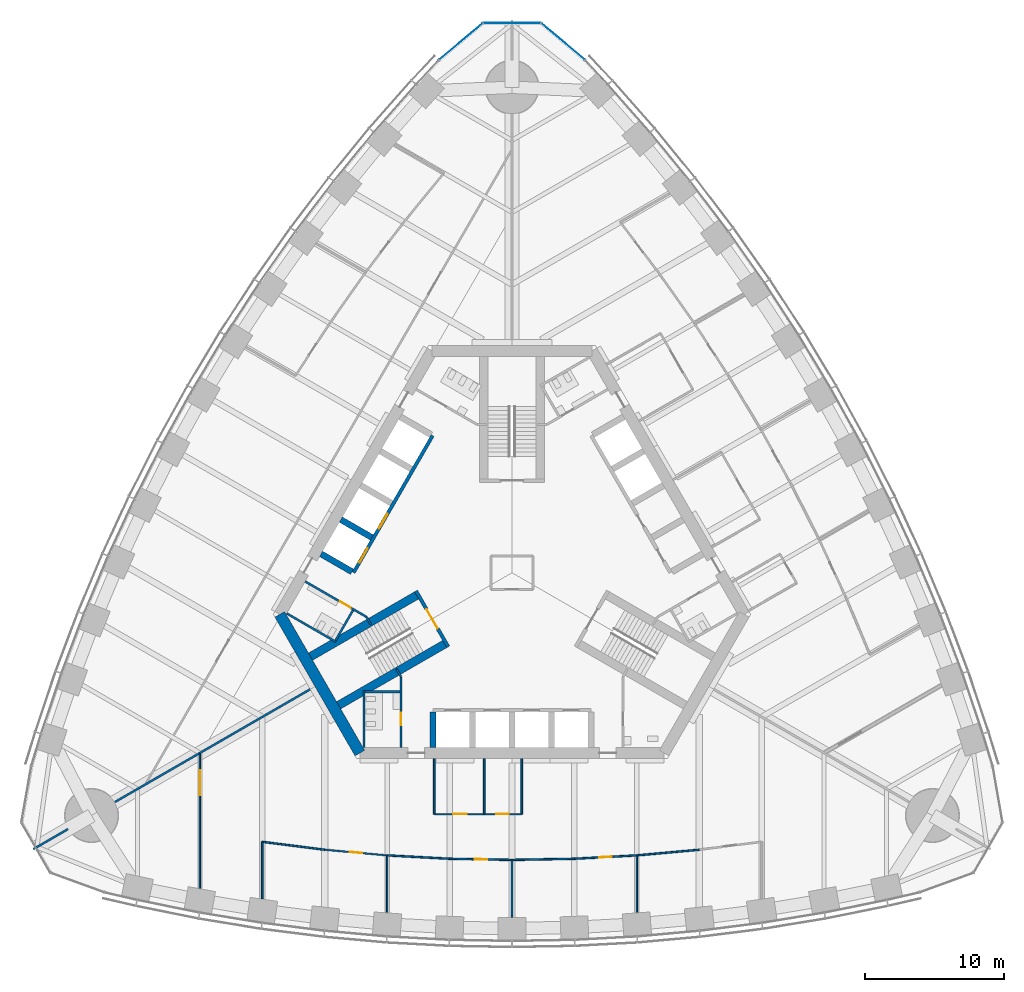
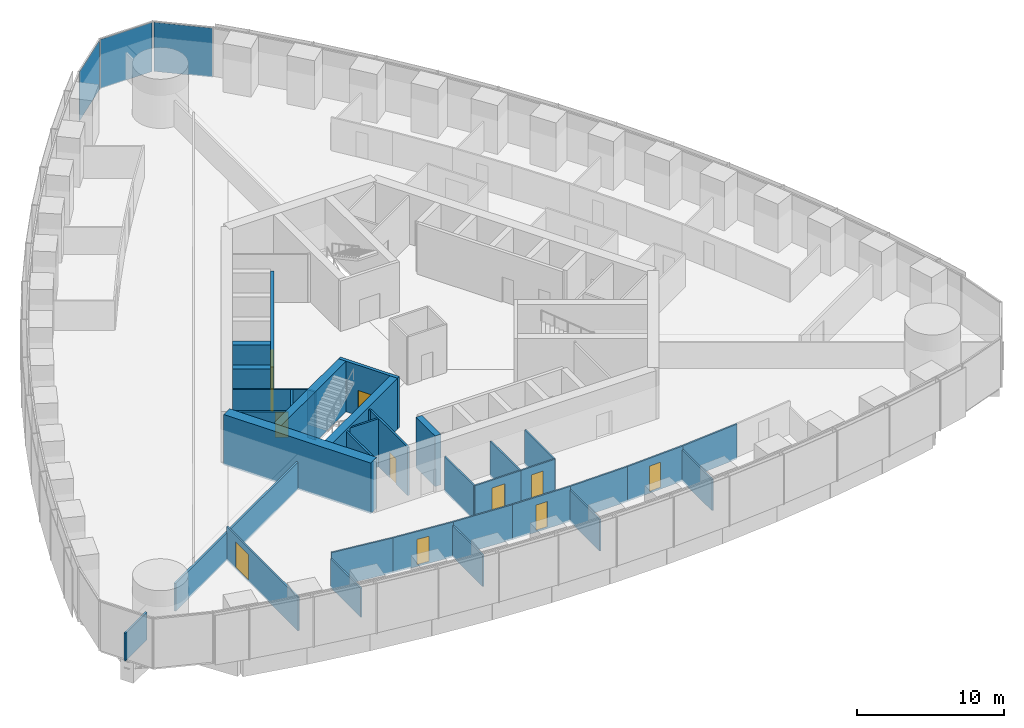
# One storey, part 10 of 18: 35 walls, 11 doors, 3 plates, 11 openings, 1 element without a shape of its own.
"""IFC4 building model written with IfcOpenShell, lengths in metres."""

from ifc_helpers import new_model, si_unit, direction, frame, frame_2d, origin, origin_2d, place, context, subcontext, project, spatial, rectangle, extrude, material, layer, layer_set, type_object, element, fill, aggregate, save


model = new_model("IFC4")

# Units and contexts
model_context = context("Model", 3, precision=1e-05, world=origin(), true_north=direction((0.0, 1.0)))
body_context = subcontext(model_context, "Body", "Model", "MODEL_VIEW")
ifc_project = project(units=[si_unit("LENGTHUNIT", "METRE"), si_unit("AREAUNIT", "SQUARE_METRE"), si_unit("VOLUMEUNIT", "CUBIC_METRE"), si_unit("PLANEANGLEUNIT", "RADIAN"), si_unit("MASSUNIT", "GRAM", prefix="KILO")], contexts=[model_context])

# Site, building, storey
site_placement = place(None, origin())
site = spatial("IfcSite", under=ifc_project, at=site_placement, CompositionType="ELEMENT")
building_placement = place(site_placement, origin())
building = spatial("IfcBuilding", under=site, at=building_placement, Name="Trefoil Bronze Tower", CompositionType="ELEMENT")
storey_placement = place(building_placement, frame((0.0, 0.0, 170.300048828125)))
storey = spatial("IfcBuildingStorey", under=building, at=storey_placement, Name="L39", CompositionType="ELEMENT", Elevation=170.300048828125)

# Curtain wall, plates
ifc_material_1 = material(Name="Tinted solar-control glass", Category="glass")
curtain_wall_type = type_object("IfcCurtainWallType", Name="Bronze rounded corner curtain wall", PredefinedType="USERDEFINED", material=ifc_material_1)
curtain_wall_placement = place(storey_placement, origin())
curtain_wall = element("IfcCurtainWall", 1, at=curtain_wall_placement, inside=storey, type_object=curtain_wall_type, Name="CW-B L39 K2", ObjectType="CURTAIN WALL", PredefinedType="USERDEFINED")
ifc_material_2 = material(Name="Tinted solar-control glass", Category="glass")
ifc_layer_1 = layer(ifc_material_2, 0.030029296875)
ifc_layer_set_1 = layer_set([ifc_layer_1], Name="Bronze rounded corner curtain wall glass panel")
plate_type = type_object("IfcPlateType", Name="Bronze rounded corner curtain wall glass panel", PredefinedType="CURTAIN_PANEL", material=ifc_layer_set_1)
plate_1_placement = place(storey_placement, frame((3.6884765625, 38.294921875, 0.0), z_axis=(0.0, 0.0, 1.0), x_axis=(-0.766044443119, 0.642787609687, 0.0)))
plate_1 = element("IfcPlate", 2, at=plate_1_placement, type_object=plate_type, Name="CW-B L39 K2 panel 1", PredefinedType="CURTAIN_PANEL", context=body_context, shape_type="SweptSolid", body=[
    extrude(rectangle(XDim=4.044189453125, YDim=0.030029296875, at=origin_2d()), origin(), (0.0, 0.0, 1.0), 4.080078125),
])
plate_2_placement = place(storey_placement, frame((0.0, 39.637451171875, 0.0), z_axis=(0.0, 0.0, 1.0), x_axis=(-1.0, 0.0, 0.0)))
plate_2 = element("IfcPlate", 3, at=plate_2_placement, type_object=plate_type, Name="CW-B L39 K2 panel 2", PredefinedType="CURTAIN_PANEL", context=body_context, shape_type="SweptSolid", body=[
    extrude(rectangle(XDim=4.044189453125, YDim=0.030029296875, at=origin_2d()), origin(), (0.0, 0.0, 1.0), 4.080078125),
])
plate_3_placement = place(storey_placement, frame((-3.6884765625, 38.294921875, 0.0), z_axis=(0.0, 0.0, 1.0), x_axis=(-0.766044443119, -0.642787609687, 0.0)))
plate_3 = element("IfcPlate", 4, at=plate_3_placement, type_object=plate_type, Name="CW-B L39 K2 panel 3", PredefinedType="CURTAIN_PANEL", context=body_context, shape_type="SweptSolid", body=[
    extrude(rectangle(XDim=4.044189453125, YDim=0.030029296875, at=origin_2d()), origin(), (0.0, 0.0, 1.0), 4.080078125),
])
aggregate(curtain_wall, [plate_1, plate_2, plate_3])

# Wall
ifc_material_3 = material(Name="Concrete B80", Category="concrete")
ifc_layer_2 = layer(ifc_material_3, 0.800048828125)
ifc_layer_set_2 = layer_set([ifc_layer_2], Name="Core wall 800")
wall_type_1 = type_object("IfcWallType", Name="Core wall 800", PredefinedType="SHEAR", material=ifc_layer_set_2)
wall_1_placement = place(storey_placement, frame((-16.7431640625, -3.0, 0.0), z_axis=(0.0, 0.0, 1.0), x_axis=(0.499995765644, -0.866027848477, 0.0)))
element("IfcWall", 5, at=wall_1_placement, inside=storey, type_object=wall_type_1, Name="Core short wall 3 L39", PredefinedType="SHEAR", context=body_context, shape_type="SweptSolid", body=[
    extrude(rectangle(XDim=11.546875, YDim=0.800048828125, at=frame_2d((5.7734375, 0.0))), origin(), (0.0, 0.0, 1.0), 4.199951171875),
])

# Wall, opening, door
ifc_material_4 = material(Name="Glazed partition", Category="glass")
ifc_layer_3 = layer(ifc_material_4, 0.1201171875)
ifc_layer_set_3 = layer_set([ifc_layer_3], Name="Glazed partition 120")
wall_type_2 = type_object("IfcWallType", Name="Glazed partition 120", PredefinedType="PARTITIONING", material=ifc_layer_set_3)
wall_2_placement = place(storey_placement, frame((-2.0, -17.39990234375, 0.0), z_axis=(0.0, 0.0, 1.0), x_axis=(1.0, 0.0, 0.0)))
wall_2 = element("IfcWall", 6, at=wall_2_placement, inside=storey, type_object=wall_type_2, Name="Partition F1 L39", PredefinedType="PARTITIONING", context=body_context, shape_type="SweptSolid", body=[
    extrude(rectangle(XDim=2.699951171875, YDim=0.1201171875, at=frame_2d((1.35009765625, 0.0))), origin(), (0.0, 0.0, 1.0), 2.89990234375),
])
opening_1_placement = place(wall_2_placement, frame((0.85009765625, 0.0, 0.14990234375)))
opening_1 = element("IfcOpeningElement", 7, at=opening_1_placement, cuts=wall_2, Name="Opening D8", PredefinedType="OPENING", context=body_context, shape_type="SweptSolid", body=[
    extrude(rectangle(XDim=0.89990234375, YDim=2.10009765625, at=frame_2d((0.449951171875, 1.050048828125))), frame((0.0, 0.070068359375, 0.0), z_axis=(0.0, -1.0, 0.0), x_axis=(1.0, 0.0, 0.0)), (0.0, 0.0, 1.0), 0.14013671875),
])
ifc_material_5 = material(Name="Timber door", Category="wood")
door_type_1 = type_object("IfcDoorType", Name="Office door 900", OperationType="SINGLE_SWING_LEFT", PredefinedType="DOOR", material=ifc_material_5)
door_1_placement = place(opening_1_placement, origin())
door_1 = element("IfcDoor", 8, at=door_1_placement, inside=storey, type_object=door_type_1, Name="Pantry door F1 L39", OperationType="SINGLE_SWING_LEFT", OverallHeight=2.10009765625, OverallWidth=0.89990234375, PredefinedType="DOOR", context=body_context, shape_type="SweptSolid", body=[
    extrude(rectangle(XDim=0.89990234375, YDim=2.10009765625, at=frame_2d((0.449951171875, 1.050048828125))), frame((0.0, 0.02490234375, 0.0), z_axis=(0.0, -1.0, 0.0), x_axis=(1.0, 0.0, 0.0)), (0.0, 0.0, 1.0), 0.050048828125),
])
fill(opening_1, door_1)

wall_3_placement = place(storey_placement, frame((-5.60009765625, -17.39990234375, 0.0), z_axis=(0.0, 0.0, 1.0), x_axis=(1.0, 0.0, 0.0)))
wall_3 = element("IfcWall", 9, at=wall_3_placement, inside=storey, type_object=wall_type_2, Name="Partition F1 L39", PredefinedType="PARTITIONING", context=body_context, shape_type="SweptSolid", body=[
    extrude(rectangle(XDim=3.60009765625, YDim=0.1201171875, at=frame_2d((1.800048828125, 0.0))), origin(), (0.0, 0.0, 1.0), 2.89990234375),
])
opening_2_placement = place(wall_3_placement, frame((1.35009765625, 0.0, 0.14990234375)))
opening_2 = element("IfcOpeningElement", 10, at=opening_2_placement, cuts=wall_3, Name="Opening D9", PredefinedType="OPENING", context=body_context, shape_type="SweptSolid", body=[
    extrude(rectangle(XDim=1.0, YDim=2.10009765625, at=frame_2d((0.5, 1.050048828125))), frame((0.0, 0.070068359375, 0.0), z_axis=(0.0, -1.0, 0.0), x_axis=(1.0, 0.0, 0.0)), (0.0, 0.0, 1.0), 0.14013671875),
])
ifc_material_6 = material(Name="Glazed timber door", Category="wood")
door_type_2 = type_object("IfcDoorType", Name="Meeting room door 1000", OperationType="SINGLE_SWING_LEFT", PredefinedType="DOOR", material=ifc_material_6)
door_2_placement = place(opening_2_placement, origin())
door_2 = element("IfcDoor", 11, at=door_2_placement, inside=storey, type_object=door_type_2, Name="Meeting room door F1 L39", OperationType="SINGLE_SWING_RIGHT", OverallHeight=2.10009765625, OverallWidth=1.0, PredefinedType="DOOR", context=body_context, shape_type="SweptSolid", body=[
    extrude(rectangle(XDim=1.0, YDim=2.10009765625, at=frame_2d((0.5, 1.050048828125))), frame((0.0, 0.02490234375, 0.0), z_axis=(0.0, -1.0, 0.0), x_axis=(1.0, 0.0, 0.0)), (0.0, 0.0, 1.0), 0.050048828125),
])
fill(opening_2, door_2)

# Walls
for number, where, z_axis, x_axis, name in (
    (12, (0.699951171875, -13.39990234375, 0.0), (0.0, 0.0, 1.0), (0.0, -1.0, 0.0), "Partition F1 L39"),
    (13, (-2.0, -13.39990234375, 0.0), (0.0, 0.0, 1.0), (0.0, -1.0, 0.0), "Partition F1 L39"),
    (14, (-5.60009765625, -13.39990234375, 0.0), (0.0, 0.0, 1.0), (0.0, -1.0, 0.0), "Partition F1 L39"),
):
    element("IfcWall", number, at=place(storey_placement, frame(where, z_axis=z_axis, x_axis=x_axis)), inside=storey, type_object=wall_type_2, Name=name, PredefinedType="PARTITIONING", context=body_context, shape_type="SweptSolid", body=[
        extrude(rectangle(XDim=4.0, YDim=0.1201171875, at=frame_2d((2.0, 0.0))), origin(), (0.0, 0.0, 1.0), 2.89990234375),
    ])
wall_4_placement = place(storey_placement, frame((0.0, -20.69970703125, 0.0), z_axis=(0.0, 0.0, 1.0), x_axis=(0.999837820638, 0.018009231578, 0.0)))
element("IfcWall", 15, at=wall_4_placement, inside=storey, type_object=wall_type_2, Name="Partition F1 L39", PredefinedType="PARTITIONING", context=body_context, shape_type="SweptSolid", body=[
    extrude(rectangle(XDim=4.500732421875, YDim=0.1201171875, at=frame_2d((2.25048828125, 0.0))), origin(), (0.0, 0.0, 1.0), 2.89990234375),
])

# Wall, opening, door
wall_5_placement = place(storey_placement, frame((4.5, -20.61865234375, 0.0), z_axis=(0.0, 0.0, 1.0), x_axis=(0.998537376538, 0.054065771581, 0.0)))
wall_5 = element("IfcWall", 16, at=wall_5_placement, inside=storey, type_object=wall_type_2, Name="Partition F1 L39", PredefinedType="PARTITIONING", context=body_context, shape_type="SweptSolid", body=[
    extrude(rectangle(XDim=4.506591796875, YDim=0.1201171875, at=frame_2d((2.25341796875, 0.0))), origin(), (0.0, 0.0, 1.0), 2.89990234375),
])
opening_3_placement = place(wall_5_placement, frame((1.800048828125, 0.0, 0.14990234375)))
opening_3 = element("IfcOpeningElement", 17, at=opening_3_placement, cuts=wall_5, Name="Opening D8", PredefinedType="OPENING", context=body_context, shape_type="SweptSolid", body=[
    extrude(rectangle(XDim=0.89990234375, YDim=2.10009765625, at=frame_2d((0.449951171875, 1.050048828125))), frame((0.0, 0.070068359375, 0.0), z_axis=(0.0, -1.0, 0.0), x_axis=(1.0, 0.0, 0.0)), (0.0, 0.0, 1.0), 0.14013671875),
])
door_3_placement = place(opening_3_placement, frame((0.89990234375, 0.0, 0.0), z_axis=(0.0, 0.0, 1.0), x_axis=(-1.0, 0.0, 0.0)))
door_3 = element("IfcDoor", 18, at=door_3_placement, inside=storey, type_object=door_type_1, Name="Executive office door F1 L39", OperationType="SINGLE_SWING_RIGHT", OverallHeight=2.10009765625, OverallWidth=0.89990234375, PredefinedType="DOOR", context=body_context, shape_type="SweptSolid", body=[
    extrude(rectangle(XDim=0.89990234375, YDim=2.10009765625, at=frame_2d((0.449951171875, 1.050048828125))), frame((0.0, 0.02490234375, 0.0), z_axis=(0.0, -1.0, 0.0), x_axis=(1.0, 0.0, 0.0)), (0.0, 0.0, 1.0), 0.050048828125),
])
fill(opening_3, door_3)

# Wall
wall_6_placement = place(storey_placement, frame((9.0, -20.375, 0.0), z_axis=(0.0, 0.0, 1.0), x_axis=(0.995930325215, 0.090126507295, 0.0)))
element("IfcWall", 19, at=wall_6_placement, inside=storey, type_object=wall_type_2, Name="Partition F1 L39", PredefinedType="PARTITIONING", context=body_context, shape_type="SweptSolid", body=[
    extrude(rectangle(XDim=4.518310546875, YDim=0.1201171875, at=frame_2d((2.25927734375, 0.0))), origin(), (0.0, 0.0, 1.0), 2.89990234375),
])

# Wall, opening, door
wall_7_placement = place(storey_placement, frame((-13.5, -19.9677734375, 0.0), z_axis=(0.0, 0.0, 1.0), x_axis=(0.995930325215, -0.090126507295, 0.0)))
wall_7 = element("IfcWall", 20, at=wall_7_placement, inside=storey, type_object=wall_type_2, Name="Partition F1 L39", PredefinedType="PARTITIONING", context=body_context, shape_type="SweptSolid", body=[
    extrude(rectangle(XDim=4.518310546875, YDim=0.1201171875, at=frame_2d((2.25927734375, 0.0))), origin(), (0.0, 0.0, 1.0), 2.89990234375),
])
opening_4_placement = place(wall_7_placement, frame((1.800048828125, 0.0, 0.14990234375)))
opening_4 = element("IfcOpeningElement", 21, at=opening_4_placement, cuts=wall_7, Name="Opening D8", PredefinedType="OPENING", context=body_context, shape_type="SweptSolid", body=[
    extrude(rectangle(XDim=0.89990234375, YDim=2.10009765625, at=frame_2d((0.449951171875, 1.050048828125))), frame((0.0, 0.070068359375, 0.0), z_axis=(0.0, -1.0, 0.0), x_axis=(1.0, 0.0, 0.0)), (0.0, 0.0, 1.0), 0.14013671875),
])
door_4_placement = place(opening_4_placement, frame((0.89990234375, 0.0, 0.0), z_axis=(0.0, 0.0, 1.0), x_axis=(-1.0, 0.0, 0.0)))
door_4 = element("IfcDoor", 22, at=door_4_placement, inside=storey, type_object=door_type_1, Name="Executive office door F1 L39", OperationType="SINGLE_SWING_RIGHT", OverallHeight=2.10009765625, OverallWidth=0.89990234375, PredefinedType="DOOR", context=body_context, shape_type="SweptSolid", body=[
    extrude(rectangle(XDim=0.89990234375, YDim=2.10009765625, at=frame_2d((0.449951171875, 1.050048828125))), frame((0.0, 0.02490234375, 0.0), z_axis=(0.0, -1.0, 0.0), x_axis=(1.0, 0.0, 0.0)), (0.0, 0.0, 1.0), 0.050048828125),
])
fill(opening_4, door_4)

# Wall
wall_8_placement = place(storey_placement, frame((-18.0, -19.3955078125, 0.0), z_axis=(0.0, 0.0, 1.0), x_axis=(0.992010652594, -0.12615413247, 0.0)))
element("IfcWall", 23, at=wall_8_placement, inside=storey, type_object=wall_type_2, Name="Partition F1 L39", PredefinedType="PARTITIONING", context=body_context, shape_type="SweptSolid", body=[
    extrude(rectangle(XDim=4.5361328125, YDim=0.1201171875, at=frame_2d((2.26806640625, 0.0))), origin(), (0.0, 0.0, 1.0), 2.89990234375),
])

# Wall, opening, door
wall_9_placement = place(storey_placement, frame((-4.5, -20.61865234375, 0.0), z_axis=(0.0, 0.0, 1.0), x_axis=(0.999837820638, -0.018009231578, 0.0)))
wall_9 = element("IfcWall", 24, at=wall_9_placement, inside=storey, type_object=wall_type_2, Name="Partition F1 L39", PredefinedType="PARTITIONING", context=body_context, shape_type="SweptSolid", body=[
    extrude(rectangle(XDim=4.500732421875, YDim=0.1201171875, at=frame_2d((2.25048828125, 0.0))), origin(), (0.0, 0.0, 1.0), 2.89990234375),
])
opening_5_placement = place(wall_9_placement, frame((1.800048828125, 0.0, 0.14990234375)))
opening_5 = element("IfcOpeningElement", 25, at=opening_5_placement, cuts=wall_9, Name="Opening D8", PredefinedType="OPENING", context=body_context, shape_type="SweptSolid", body=[
    extrude(rectangle(XDim=0.89990234375, YDim=2.10009765625, at=frame_2d((0.449951171875, 1.050048828125))), frame((0.0, 0.070068359375, 0.0), z_axis=(0.0, -1.0, 0.0), x_axis=(1.0, 0.0, 0.0)), (0.0, 0.0, 1.0), 0.14013671875),
])
door_5_placement = place(opening_5_placement, frame((0.89990234375, 0.0, 0.0), z_axis=(0.0, 0.0, 1.0), x_axis=(-1.0, 0.0, 0.0)))
door_5 = element("IfcDoor", 26, at=door_5_placement, inside=storey, type_object=door_type_1, Name="Executive office door F1 L39", OperationType="SINGLE_SWING_RIGHT", OverallHeight=2.10009765625, OverallWidth=0.89990234375, PredefinedType="DOOR", context=body_context, shape_type="SweptSolid", body=[
    extrude(rectangle(XDim=0.89990234375, YDim=2.10009765625, at=frame_2d((0.449951171875, 1.050048828125))), frame((0.0, 0.02490234375, 0.0), z_axis=(0.0, -1.0, 0.0), x_axis=(1.0, 0.0, 0.0)), (0.0, 0.0, 1.0), 0.050048828125),
])
fill(opening_5, door_5)

# Walls
wall_10_placement = place(storey_placement, frame((-9.0, -20.375, 0.0), z_axis=(0.0, 0.0, 1.0), x_axis=(0.998537376538, -0.054065771581, 0.0)))
element("IfcWall", 27, at=wall_10_placement, inside=storey, type_object=wall_type_2, Name="Partition F1 L39", PredefinedType="PARTITIONING", context=body_context, shape_type="SweptSolid", body=[
    extrude(rectangle(XDim=4.506591796875, YDim=0.1201171875, at=frame_2d((2.25341796875, 0.0))), origin(), (0.0, 0.0, 1.0), 2.89990234375),
])
wall_11_placement = place(storey_placement, frame((0.0, -20.69970703125, 0.0), z_axis=(0.0, 0.0, 1.0), x_axis=(0.0, -1.0, 0.0)))
element("IfcWall", 28, at=wall_11_placement, inside=storey, type_object=wall_type_2, Name="Partition F1 L39", PredefinedType="PARTITIONING", context=body_context, shape_type="SweptSolid", body=[
    extrude(rectangle(XDim=4.119873046875, YDim=0.1201171875, at=frame_2d((2.06005859375, 0.0))), origin(), (0.0, 0.0, 1.0), 2.599853515625),
])
wall_12_placement = place(storey_placement, frame((9.0, -20.375, 0.0), z_axis=(0.0, 0.0, 1.0), x_axis=(0.0, -1.0, 0.0)))
element("IfcWall", 29, at=wall_12_placement, inside=storey, type_object=wall_type_2, Name="Partition F1 L39", PredefinedType="PARTITIONING", context=body_context, shape_type="SweptSolid", body=[
    extrude(rectangle(XDim=4.11572265625, YDim=0.1201171875, at=frame_2d((2.057861328125, 0.0))), origin(), (0.0, 0.0, 1.0), 2.599853515625),
])
wall_13_placement = place(storey_placement, frame((-18.0, -19.3955078125, 0.0), z_axis=(0.0, 0.0, 1.0), x_axis=(0.0, -1.0, 0.0)))
element("IfcWall", 30, at=wall_13_placement, inside=storey, type_object=wall_type_2, Name="Partition F1 L39", PredefinedType="PARTITIONING", context=body_context, shape_type="SweptSolid", body=[
    extrude(rectangle(XDim=4.10302734375, YDim=0.1201171875, at=frame_2d((2.051513671875, 0.0))), origin(), (0.0, 0.0, 1.0), 2.39990234375),
])

# Wall, opening, door
wall_14_placement = place(storey_placement, frame((-22.5, -13.051513671875, 0.0), z_axis=(0.0, 0.0, 1.0), x_axis=(0.0, -1.0, 0.0)))
wall_14 = element("IfcWall", 31, at=wall_14_placement, inside=storey, type_object=wall_type_2, Name="Partition F1 L39", PredefinedType="PARTITIONING", context=body_context, shape_type="SweptSolid", body=[
    extrude(rectangle(XDim=9.697509765625, YDim=0.1201171875, at=frame_2d((4.8486328125, 0.0))), origin(), (0.0, 0.0, 1.0), 2.800048828125),
])
opening_6_placement = place(wall_14_placement, frame((1.199951171875, 0.0, 0.14990234375)))
opening_6 = element("IfcOpeningElement", 32, at=opening_6_placement, cuts=wall_14, Name="Opening D10", PredefinedType="OPENING", context=body_context, shape_type="SweptSolid", body=[
    extrude(rectangle(XDim=1.800048828125, YDim=2.10009765625, at=frame_2d((0.89990234375, 1.050048828125))), frame((0.0, 0.070068359375, 0.0), z_axis=(0.0, -1.0, 0.0), x_axis=(1.0, 0.0, 0.0)), (0.0, 0.0, 1.0), 0.14013671875),
])
ifc_material_7 = material(Name="Timber door", Category="wood")
door_type_3 = type_object("IfcDoorType", Name="Double door 1800", OperationType="DOUBLE_DOOR_SINGLE_SWING", PredefinedType="DOOR", material=ifc_material_7)
door_6_placement = place(opening_6_placement, frame((1.800048828125, 0.0, 0.0), z_axis=(0.0, 0.0, 1.0), x_axis=(-1.0, 0.0, 0.0)))
door_6 = element("IfcDoor", 33, at=door_6_placement, inside=storey, type_object=door_type_3, Name="Dining room door F1 L39", OperationType="DOUBLE_DOOR_SINGLE_SWING", OverallHeight=2.10009765625, OverallWidth=1.800048828125, PredefinedType="DOOR", context=body_context, shape_type="SweptSolid", body=[
    extrude(rectangle(XDim=1.800048828125, YDim=2.10009765625, at=frame_2d((0.89990234375, 1.050048828125))), frame((0.0, 0.02490234375, 0.0), z_axis=(0.0, -1.0, 0.0), x_axis=(1.0, 0.0, 0.0)), (0.0, 0.0, 1.0), 0.050048828125),
])
fill(opening_6, door_6)

# Walls
wall_15_placement = place(storey_placement, frame((-9.0, -20.375, 0.0), z_axis=(0.0, 0.0, 1.0), x_axis=(0.0, -1.0, 0.0)))
element("IfcWall", 34, at=wall_15_placement, inside=storey, type_object=wall_type_2, Name="Partition F1 L39", PredefinedType="PARTITIONING", context=body_context, shape_type="SweptSolid", body=[
    extrude(rectangle(XDim=4.11572265625, YDim=0.1201171875, at=frame_2d((2.057861328125, 0.0))), origin(), (0.0, 0.0, 1.0), 2.599853515625),
])
ifc_material_8 = material(Name="Concrete B80", Category="concrete")
ifc_layer_4 = layer(ifc_material_8, 0.449951171875)
ifc_layer_set_4 = layer_set([ifc_layer_4], Name="Outrigger shaft wall 450")
wall_type_3 = type_object("IfcWallType", Name="Outrigger shaft wall 450", PredefinedType="SHEAR", material=ifc_layer_set_4)
wall_16_placement = place(storey_placement, frame((-5.699951171875, -10.02490234375, 0.0), z_axis=(0.0, 0.0, 1.0), x_axis=(0.0, -1.0, 0.0)))
element("IfcWall", 35, at=wall_16_placement, inside=storey, type_object=wall_type_3, Name="Lift shaft side wall A0 L39", PredefinedType="SHEAR", context=body_context, shape_type="SweptSolid", body=[
    extrude(rectangle(XDim=2.5751953125, YDim=0.449951171875, at=frame_2d((1.28759765625, 0.0))), origin(), (0.0, 0.0, 1.0), 4.199951171875),
])
for number, where, z_axis, x_axis, name in (
    (36, (-10.10693359375, 2.54443359375, 0.0), (0.0, 0.0, 1.0), (-0.866046643894, 0.499963209246, 0.0), "Lift shaft side wall C3 L39"),
    (37, (-11.531982421875, 0.076171875, 0.0), (0.0, 0.0, 1.0), (-0.866005588531, 0.500034319456, 0.0), "Lift shaft side wall C4 L39"),
):
    element("IfcWall", number, at=place(storey_placement, frame(where, z_axis=z_axis, x_axis=x_axis)), inside=storey, type_object=wall_type_3, Name=name, PredefinedType="SHEAR", context=body_context, shape_type="SweptSolid", body=[
        extrude(rectangle(XDim=2.574951171875, YDim=0.449951171875, at=frame_2d((1.28759765625, 0.0))), origin(), (0.0, 0.0, 1.0), 4.199951171875),
    ])

# Wall, opening, door
ifc_material_9 = material(Name="Gypsum board on steel studs", Category="steel")
ifc_layer_5 = layer(ifc_material_9, 0.14990234375)
ifc_layer_set_5 = layer_set([ifc_layer_5], Name="Partition 150")
wall_type_4 = type_object("IfcWallType", Name="Partition 150", PredefinedType="PARTITIONING", material=ifc_layer_set_5)
wall_17_placement = place(storey_placement, frame((-8.0, -7.5, 0.0), z_axis=(0.0, 0.0, 1.0), x_axis=(0.0, -1.0, 0.0)))
wall_17 = element("IfcWall", 38, at=wall_17_placement, inside=storey, type_object=wall_type_4, Name="Passage wall F1- L39", PredefinedType="PARTITIONING", context=body_context, shape_type="SweptSolid", body=[
    extrude(rectangle(XDim=5.10009765625, YDim=0.14990234375, at=frame_2d((2.550048828125, 0.0))), origin(), (0.0, 0.0, 1.0), 4.0),
])
opening_7_placement = place(wall_17_placement, frame((2.60009765625, 0.0, 0.0)))
opening_7 = element("IfcOpeningElement", 39, at=opening_7_placement, cuts=wall_17, Name="Opening D3", PredefinedType="OPENING", context=body_context, shape_type="SweptSolid", body=[
    extrude(rectangle(XDim=0.89990234375, YDim=2.10009765625, at=frame_2d((0.449951171875, 1.050048828125))), frame((0.0, 0.0849609375, 0.0), z_axis=(0.0, -1.0, 0.0), x_axis=(1.0, 0.0, 0.0)), (0.0, 0.0, 1.0), 0.169921875),
])
ifc_material_10 = material(Name="Timber door", Category="wood")
door_type_4 = type_object("IfcDoorType", Name="WC door 900", OperationType="SINGLE_SWING_LEFT", PredefinedType="DOOR", material=ifc_material_10)
door_7_placement = place(opening_7_placement, frame((0.89990234375, 0.0, 0.0), z_axis=(0.0, 0.0, 1.0), x_axis=(-1.0, 0.0, 0.0)))
door_7 = element("IfcDoor", 40, at=door_7_placement, inside=storey, type_object=door_type_4, Name="WC (women) door L39", OperationType="SINGLE_SWING_RIGHT", OverallHeight=2.10009765625, OverallWidth=0.89990234375, PredefinedType="DOOR", context=body_context, shape_type="SweptSolid", body=[
    extrude(rectangle(XDim=0.89990234375, YDim=2.10009765625, at=frame_2d((0.449951171875, 1.050048828125))), frame((0.0, 0.02490234375, 0.0), z_axis=(0.0, -1.0, 0.0), x_axis=(1.0, 0.0, 0.0)), (0.0, 0.0, 1.0), 0.050048828125),
])
fill(opening_7, door_7)

wall_18_placement = place(storey_placement, frame((-10.4951171875, -3.17822265625, 0.0), z_axis=(0.0, 0.0, 1.0), x_axis=(-0.86602216432, 0.500005610874, 0.0)))
wall_18 = element("IfcWall", 41, at=wall_18_placement, inside=storey, type_object=wall_type_4, Name="Passage wall F3+ L39", PredefinedType="PARTITIONING", context=body_context, shape_type="SweptSolid", body=[
    extrude(rectangle(XDim=5.10009765625, YDim=0.14990234375, at=frame_2d((2.550048828125, 0.0))), origin(), (0.0, 0.0, 1.0), 4.0),
])
opening_8_placement = place(wall_18_placement, frame((1.300048828125, 0.0, 0.0)))
opening_8 = element("IfcOpeningElement", 42, at=opening_8_placement, cuts=wall_18, Name="Opening D3", PredefinedType="OPENING", context=body_context, shape_type="SweptSolid", body=[
    extrude(rectangle(XDim=0.89990234375, YDim=2.10009765625, at=frame_2d((0.449951171875, 1.050048828125))), frame((0.0, 0.0849609375, 0.0), z_axis=(0.0, -1.0, 0.0), x_axis=(1.0, 0.0, 0.0)), (0.0, 0.0, 1.0), 0.169921875),
])
door_8_placement = place(opening_8_placement, origin())
door_8 = element("IfcDoor", 43, at=door_8_placement, inside=storey, type_object=door_type_4, Name="WC (men) door L39", OperationType="SINGLE_SWING_LEFT", OverallHeight=2.10009765625, OverallWidth=0.89990234375, PredefinedType="DOOR", context=body_context, shape_type="SweptSolid", body=[
    extrude(rectangle(XDim=0.89990234375, YDim=2.10009765625, at=frame_2d((0.449951171875, 1.050048828125))), frame((0.0, 0.02490234375, 0.0), z_axis=(0.0, -1.0, 0.0), x_axis=(1.0, 0.0, 0.0)), (0.0, 0.0, 1.0), 0.050048828125),
])
fill(opening_8, door_8)

# Walls
for number, where, z_axis, x_axis, name in (
    (44, (-10.4951171875, -3.17822265625, 0.0), (0.0, 0.0, 1.0), (0.499842556608, -0.866116284689, 0.0), "WC wall ST3-1 L39"),
    (45, (-8.0, -7.5, 0.0), (0.0, 0.0, 1.0), (-0.499842556608, 0.866116284689, 0.0), "WC wall ST3+1 L39"),
):
    element("IfcWall", number, at=place(storey_placement, frame(where, z_axis=z_axis, x_axis=x_axis)), inside=storey, type_object=wall_type_4, Name=name, PredefinedType="PARTITIONING", context=body_context, shape_type="SweptSolid", body=[
        extrude(rectangle(XDim=0.645263671875, YDim=0.14990234375, at=frame_2d((0.32275390625, 0.0))), origin(), (0.0, 0.0, 1.0), 4.0),
    ])
wall_19_placement = place(storey_placement, frame((-12.691162109375, -4.98193359375, 0.0), z_axis=(0.0, 0.0, 1.0), x_axis=(-0.8660249478, 0.500000789788, 0.0)))
element("IfcWall", 46, at=wall_19_placement, inside=storey, type_object=wall_type_4, Name="WC partition WC (men) L39", PredefinedType="PARTITIONING", context=body_context, shape_type="SweptSolid", body=[
    extrude(rectangle(XDim=4.10009765625, YDim=0.14990234375, at=frame_2d((2.050048828125, 0.0))), origin(), (0.0, 0.0, 1.0), 4.0),
])
wall_20_placement = place(storey_placement, frame((-11.463623046875, -2.70556640625, 0.0), z_axis=(0.0, 0.0, 1.0), x_axis=(-0.50001992892, -0.866013897511, 0.0)))
element("IfcWall", 47, at=wall_20_placement, inside=storey, type_object=wall_type_4, Name="WC partition WC (men) L39", PredefinedType="PARTITIONING", context=body_context, shape_type="SweptSolid", body=[
    extrude(rectangle(XDim=2.51025390625, YDim=0.14990234375, at=frame_2d((1.255126953125, 0.0))), origin(), (0.0, 0.0, 1.0), 4.0),
])
wall_21_placement = place(storey_placement, frame((-10.659912109375, -8.5, 0.0), z_axis=(0.0, 0.0, 1.0), x_axis=(0.0, -1.0, 0.0)))
element("IfcWall", 48, at=wall_21_placement, inside=storey, type_object=wall_type_4, Name="WC partition WC (women) L39", PredefinedType="PARTITIONING", context=body_context, shape_type="SweptSolid", body=[
    extrude(rectangle(XDim=4.10009765625, YDim=0.14990234375, at=frame_2d((2.050048828125, 0.0))), origin(), (0.0, 0.0, 1.0), 4.0),
])
wall_22_placement = place(storey_placement, frame((-8.074951171875, -8.574951171875, 0.0), z_axis=(0.0, 0.0, 1.0), x_axis=(-1.0, 0.0, 0.0)))
element("IfcWall", 49, at=wall_22_placement, inside=storey, type_object=wall_type_4, Name="WC partition WC (women) L39", PredefinedType="PARTITIONING", context=body_context, shape_type="SweptSolid", body=[
    extrude(rectangle(XDim=2.510009765625, YDim=0.14990234375, at=frame_2d((1.2548828125, 0.0))), origin(), (0.0, 0.0, 1.0), 4.0),
])
ifc_material_11 = material(Name="Gypsum board on steel studs", Category="steel")
ifc_layer_6 = layer(ifc_material_11, 0.14990234375)
ifc_layer_set_6 = layer_set([ifc_layer_6], Name="Party wall 150")
wall_type_5 = type_object("IfcWallType", Name="Party wall 150", PredefinedType="PARTITIONING", material=ifc_layer_set_6)
wall_23_placement = place(storey_placement, frame((-14.202880859375, -8.199951171875, 0.0), z_axis=(0.0, 0.0, 1.0), x_axis=(-0.866024668836, -0.500001272966, 0.0)))
element("IfcWall", 50, at=wall_23_placement, inside=storey, type_object=wall_type_5, Name="Party wall K3 L39", PredefinedType="PARTITIONING", context=body_context, shape_type="SweptSolid", body=[
    extrude(rectangle(XDim=16.64990234375, YDim=0.14990234375, at=frame_2d((8.324951171875, 0.0))), origin(), (0.0, 0.0, 1.0), 2.300048828125),
])
wall_24_placement = place(storey_placement, frame((-31.999755859375, -18.47509765625, 0.0), z_axis=(0.0, 0.0, 1.0), x_axis=(-0.866042548026, -0.499970304126, 0.0)))
element("IfcWall", 51, at=wall_24_placement, inside=storey, type_object=wall_type_5, Name="Party wall K3 L39", PredefinedType="PARTITIONING", context=body_context, shape_type="SweptSolid", body=[
    extrude(rectangle(XDim=2.899169921875, YDim=0.14990234375, at=frame_2d((1.44970703125, 0.0))), origin(), (0.0, 0.0, 1.0), 2.300048828125),
])

# Wall, openings, doors
ifc_material_12 = material(Name="Concrete B80", Category="concrete")
ifc_layer_7 = layer(ifc_material_12, 0.25)
ifc_layer_set_7 = layer_set([ifc_layer_7], Name="Shaft wall 250")
wall_type_6 = type_object("IfcWallType", Name="Shaft wall 250", PredefinedType="SHEAR", material=ifc_layer_set_7)
wall_25_placement = place(storey_placement, frame((-5.7236328125, 9.88623046875, 0.0), z_axis=(0.0, 0.0, 1.0), x_axis=(-0.500001763848, -0.866024385424, 0.0)))
wall_25 = element("IfcWall", 52, at=wall_25_placement, inside=storey, type_object=wall_type_6, Name="Lift shaft front wall C L39", PredefinedType="SHEAR", context=body_context, shape_type="SweptSolid", body=[
    extrude(rectangle(XDim=11.39990234375, YDim=0.25, at=frame_2d((5.699951171875, 0.0))), origin(), (0.0, 0.0, 1.0), 4.199951171875),
])
opening_9_placement = place(wall_25_placement, frame((6.52490234375, 0.0, 0.0)))
opening_9 = element("IfcOpeningElement", 53, at=opening_9_placement, cuts=wall_25, Name="Opening LD-FL1", PredefinedType="OPENING", context=body_context, shape_type="SweptSolid", body=[
    extrude(rectangle(XDim=1.199951171875, YDim=2.199951171875, at=frame_2d((0.60009765625, 1.10009765625))), frame((0.0, 0.135009765625, 0.0), z_axis=(0.0, -1.0, 0.0), x_axis=(1.0, 0.0, 0.0)), (0.0, 0.0, 1.0), 0.27001953125),
])
opening_10_placement = place(wall_25_placement, frame((9.375, 0.0, 0.0)))
opening_10 = element("IfcOpeningElement", 54, at=opening_10_placement, cuts=wall_25, Name="Opening LD-FL2", PredefinedType="OPENING", context=body_context, shape_type="SweptSolid", body=[
    extrude(rectangle(XDim=1.199951171875, YDim=2.199951171875, at=frame_2d((0.60009765625, 1.10009765625))), frame((0.0, 0.135009765625, 0.0), z_axis=(0.0, -1.0, 0.0), x_axis=(1.0, 0.0, 0.0)), (0.0, 0.0, 1.0), 0.27001953125),
])
ifc_material_13 = material(Name="Steel door", Category="steel")
door_type_5 = type_object("IfcDoorType", Name="Lift landing door 1200", OperationType="DOUBLE_DOOR_SLIDING", PredefinedType="DOOR", material=ifc_material_13)
door_9_placement = place(opening_9_placement, origin())
door_9 = element("IfcDoor", 55, at=door_9_placement, inside=storey, type_object=door_type_5, Name="Lift FL1 landing door L39", OperationType="DOUBLE_DOOR_SLIDING", OverallHeight=2.199951171875, OverallWidth=1.199951171875, PredefinedType="DOOR", context=body_context, shape_type="SweptSolid", body=[
    extrude(rectangle(XDim=1.199951171875, YDim=2.199951171875, at=frame_2d((0.60009765625, 1.10009765625))), frame((0.0, 0.02490234375, 0.0), z_axis=(0.0, -1.0, 0.0), x_axis=(1.0, 0.0, 0.0)), (0.0, 0.0, 1.0), 0.050048828125),
])
fill(opening_9, door_9)
door_10_placement = place(opening_10_placement, origin())
door_10 = element("IfcDoor", 56, at=door_10_placement, inside=storey, type_object=door_type_5, Name="Lift FL2 landing door L39", OperationType="DOUBLE_DOOR_SLIDING", OverallHeight=2.199951171875, OverallWidth=1.199951171875, PredefinedType="DOOR", context=body_context, shape_type="SweptSolid", body=[
    extrude(rectangle(XDim=1.199951171875, YDim=2.199951171875, at=frame_2d((0.60009765625, 1.10009765625))), frame((0.0, 0.02490234375, 0.0), z_axis=(0.0, -1.0, 0.0), x_axis=(1.0, 0.0, 0.0)), (0.0, 0.0, 1.0), 0.050048828125),
])
fill(opening_10, door_10)

# Wall, opening, door
wall_26_placement = place(storey_placement, frame((-6.921630859375, -1.3115234375, 0.0), z_axis=(0.0, 0.0, 1.0), x_axis=(0.499984536904, -0.866034331223, 0.0)))
wall_26 = element("IfcWall", 57, at=wall_26_placement, inside=storey, type_object=wall_type_6, Name="Stair end wall ST3 L39", PredefinedType="SHEAR", context=body_context, shape_type="SweptSolid", body=[
    extrude(rectangle(XDim=4.650146484375, YDim=0.25, at=frame_2d((2.3251953125, 0.0))), origin(), (0.0, 0.0, 1.0), 4.199951171875),
])
opening_11_placement = place(wall_26_placement, frame((1.52490234375, 0.0, 0.0)))
opening_11 = element("IfcOpeningElement", 58, at=opening_11_placement, cuts=wall_26, Name="Opening D1", PredefinedType="OPENING", context=body_context, shape_type="SweptSolid", body=[
    extrude(rectangle(XDim=1.60009765625, YDim=2.10009765625, at=frame_2d((0.800048828125, 1.050048828125))), frame((0.0, 0.135009765625, 0.0), z_axis=(0.0, -1.0, 0.0), x_axis=(1.0, 0.0, 0.0)), (0.0, 0.0, 1.0), 0.27001953125),
])
ifc_material_14 = material(Name="Steel door", Category="steel")
door_type_6 = type_object("IfcDoorType", Name="Stair door 1600", OperationType="DOUBLE_DOOR_SINGLE_SWING", PredefinedType="DOOR", material=ifc_material_14)
door_11_placement = place(opening_11_placement, frame((1.60009765625, 0.0, 0.0), z_axis=(0.0, 0.0, 1.0), x_axis=(-1.0, 0.0, 0.0)))
door_11 = element("IfcDoor", 59, at=door_11_placement, inside=storey, type_object=door_type_6, Name="Stair door ST3 L39", OperationType="DOUBLE_DOOR_SINGLE_SWING", OverallHeight=2.10009765625, OverallWidth=1.60009765625, PredefinedType="DOOR", context=body_context, shape_type="SweptSolid", body=[
    extrude(rectangle(XDim=1.60009765625, YDim=2.10009765625, at=frame_2d((0.800048828125, 1.050048828125))), frame((0.0, 0.02490234375, 0.0), z_axis=(0.0, -1.0, 0.0), x_axis=(1.0, 0.0, 0.0)), (0.0, 0.0, 1.0), 0.050048828125),
])
fill(opening_11, door_11)

# Walls
ifc_material_15 = material(Name="Concrete B80", Category="concrete")
ifc_layer_8 = layer(ifc_material_15, 0.60009765625)
ifc_layer_set_8 = layer_set([ifc_layer_8], Name="Stair wall 600")
wall_type_7 = type_object("IfcWallType", Name="Stair wall 600", PredefinedType="SHEAR", material=ifc_layer_set_8)
for number, where, z_axis, x_axis, name in (
    (60, (-6.663330078125, -1.5087890625, 0.0), (0.0, 0.0, 1.0), (-0.866019375473, -0.500010441196, 0.0), "Stair wall ST3 L39"),
    (61, (-4.638427734375, -5.01611328125, 0.0), (0.0, 0.0, 1.0), (-0.866019375473, -0.500010441196, 0.0), "Stair wall ST3 L39"),
):
    element("IfcWall", number, at=place(storey_placement, frame(where, z_axis=z_axis, x_axis=x_axis)), inside=storey, type_object=wall_type_7, Name=name, PredefinedType="SHEAR", context=body_context, shape_type="SweptSolid", body=[
        extrude(rectangle(XDim=9.074951171875, YDim=0.60009765625, at=frame_2d((4.53759765625, 0.0))), origin(), (0.0, 0.0, 1.0), 4.199951171875),
    ])

save(model, "model.ifc")
